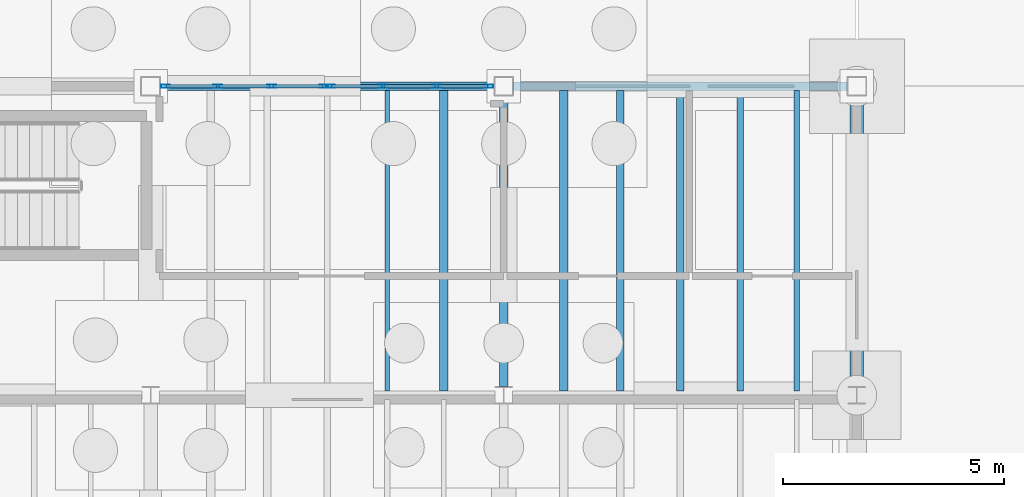
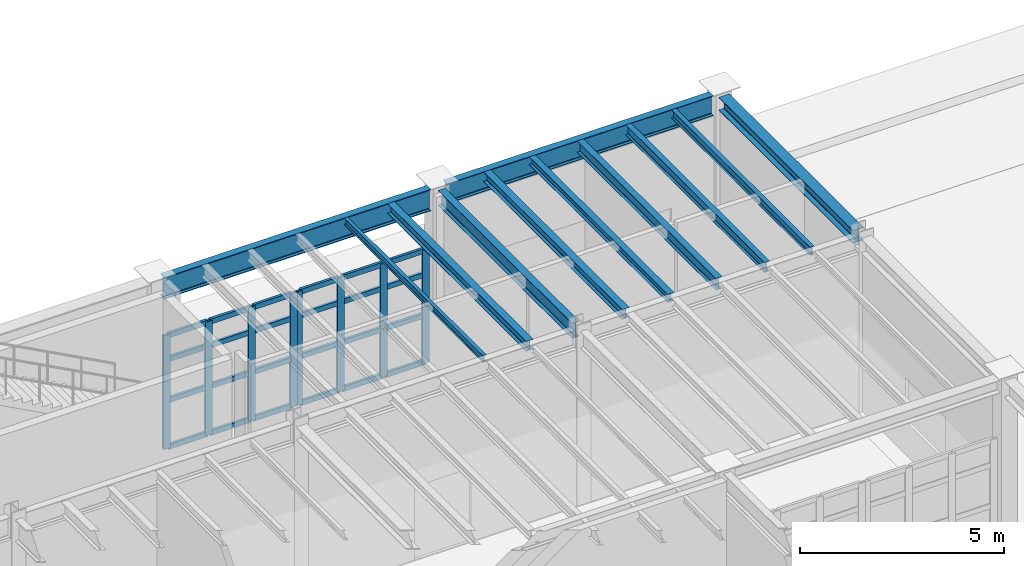
# One storey, part 35 of 86: 32 members, 11 beams, 2 elements without a shape of their own.
"""IFC4 building model written with IfcOpenShell, lengths in metres."""

from ifc_helpers import new_model, si_unit, direction, frame, origin, origin_2d, place, context, subcontext, project, spatial, hollow_rectangle, i_section, extrude, material, material_profile, profile_set, type_object, element, aggregate, save


model = new_model("IFC4")

# Units and contexts
model_context = context("Model", 3, precision=1e-05, world=origin(), true_north=direction((0.0, 1.0)))
body_context = subcontext(model_context, "Body", "Model", "MODEL_VIEW")
ifc_project = project(units=[si_unit("LENGTHUNIT", "METRE"), si_unit("AREAUNIT", "SQUARE_METRE"), si_unit("VOLUMEUNIT", "CUBIC_METRE"), si_unit("PLANEANGLEUNIT", "RADIAN"), si_unit("MASSUNIT", "GRAM", prefix="KILO"), si_unit("THERMODYNAMICTEMPERATUREUNIT", "KELVIN"), si_unit("POWERUNIT", "WATT")], contexts=[model_context])

# Site, building, storey
site_placement = place(None, origin())
site = spatial("IfcSite", under=ifc_project, at=site_placement, CompositionType="ELEMENT")
building_placement = place(site_placement, origin())
building = spatial("IfcBuilding", under=site, at=building_placement, Name="Zhenchuan Central Fire Station", CompositionType="ELEMENT")
storey_placement = place(building_placement, frame((0.0, 0.0, 0.449951171875)))
storey = spatial("IfcBuildingStorey", under=building, at=storey_placement, Name="L01", CompositionType="ELEMENT", Elevation=0.449951171875)

# Beams
ifc_material_1 = material(Name="Steel Q355B", Category="steel")
ifc_material_profile_1 = material_profile(ifc_material_1, i_section(OverallWidth=0.300048828125, OverallDepth=0.389892578125, WebThickness=0.010009765625, FlangeThickness=0.01611328125, FilletRadius=0.02001953125, at=origin_2d()), Name="HM 390x300")
ifc_profile_set_1 = profile_set([ifc_material_profile_1], Name="Steel Q355B")
beam_type_1 = type_object("IfcBeamType", Name="BM-HM390-INT", PredefinedType="BEAM", material=ifc_profile_set_1)
beam_1_placement = place(storey_placement, frame((56.0, 49.699951171875, 5.005126953125), z_axis=(0.0, 1.0, 0.0), x_axis=(-1.0, 0.0, 0.0)))
element("IfcBeam", 1, at=beam_1_placement, inside=storey, type_object=beam_type_1, Name="L02 Girder NS 0151", PredefinedType="BEAM", context=body_context, shape_type="SweptSolid", body=[
    extrude(i_section(OverallWidth=0.300048828125, OverallDepth=0.389892578125, WebThickness=0.010009765625, FlangeThickness=0.01611328125, FilletRadius=0.02001953125, at=origin_2d()), origin(), (0.0, 0.0, 1.0), 6.574951171875),
])
ifc_material_profile_2 = material_profile(ifc_material_1, i_section(OverallWidth=0.199951171875, OverallDepth=0.449951171875, WebThickness=0.009033203125, FlangeThickness=0.013916015625, FilletRadius=0.01806640625, at=origin_2d()), Name="HN 450x200")
ifc_profile_set_2 = profile_set([ifc_material_profile_2], Name="Steel Q355B")
beam_type_2 = type_object("IfcBeamType", Name="BM-HN450", PredefinedType="BEAM", material=ifc_profile_set_2)
beam_2_placement = place(storey_placement, frame((48.0, 49.699951171875, 4.97509765625), z_axis=(0.0, 1.0, 0.0), x_axis=(-1.0, 0.0, 0.0)))
element("IfcBeam", 2, at=beam_2_placement, inside=storey, type_object=beam_type_2, Name="L02 Girder NS 0148", PredefinedType="BEAM", context=body_context, shape_type="SweptSolid", body=[
    extrude(i_section(OverallWidth=0.199951171875, OverallDepth=0.449951171875, WebThickness=0.009033203125, FlangeThickness=0.013916015625, FilletRadius=0.01806640625, at=origin_2d()), origin(), (0.0, 0.0, 1.0), 6.574951171875),
])
ifc_material_profile_3 = material_profile(ifc_material_1, i_section(OverallWidth=0.199951171875, OverallDepth=0.60009765625, WebThickness=0.010986328125, FlangeThickness=0.01708984375, FilletRadius=0.02197265625, at=origin_2d()), Name="HN 600x200")
ifc_profile_set_3 = profile_set([ifc_material_profile_3], Name="Steel Q355B")
beam_type_3 = type_object("IfcBeamType", Name="BM-HN600", PredefinedType="BEAM", material=ifc_profile_set_3)
beam_3_placement = place(storey_placement, frame((48.22509765625, 56.5, 4.900146484375), z_axis=(1.0, 0.0, 0.0), x_axis=(0.0, 1.0, 0.0)))
element("IfcBeam", 3, at=beam_3_placement, inside=storey, type_object=beam_type_3, Name="L02 Girder EW 0100", PredefinedType="BEAM", context=body_context, shape_type="SweptSolid", body=[
    extrude(i_section(OverallWidth=0.199951171875, OverallDepth=0.60009765625, WebThickness=0.010986328125, FlangeThickness=0.01708984375, FilletRadius=0.02197265625, at=origin_2d()), origin(), (0.0, 0.0, 1.0), 7.5498046875),
])
ifc_material_profile_4 = material_profile(ifc_material_1, i_section(OverallWidth=0.199951171875, OverallDepth=0.64990234375, WebThickness=0.011962890625, FlangeThickness=0.02001953125, FilletRadius=0.02197265625, at=origin_2d()), Name="HN 650x200")
ifc_profile_set_4 = profile_set([ifc_material_profile_4], Name="Steel Q355B")
beam_type_4 = type_object("IfcBeamType", Name="BM-HN650-EXT", PredefinedType="BEAM", material=ifc_profile_set_4)
beam_4_placement = place(storey_placement, frame((40.22509765625, 56.5, 4.875), z_axis=(1.0, 0.0, 0.0), x_axis=(0.0, 1.0, 0.0)))
element("IfcBeam", 4, at=beam_4_placement, inside=storey, type_object=beam_type_4, Name="L02 Girder EW 0099", PredefinedType="BEAM", context=body_context, shape_type="SweptSolid", body=[
    extrude(i_section(OverallWidth=0.199951171875, OverallDepth=0.64990234375, WebThickness=0.011962890625, FlangeThickness=0.02001953125, FilletRadius=0.02197265625, at=origin_2d()), origin(), (0.0, 0.0, 1.0), 7.5498046875),
])

# Curtain wall, members
ifc_material_2 = material(Name="Anodised aluminium and low-E glazing", Category="aluminium")
curtain_wall_type_1 = type_object("IfcCurtainWallType", Name="CW-MOD-06", PredefinedType="USERDEFINED", material=ifc_material_2)
curtain_wall_1_placement = place(storey_placement, origin())
curtain_wall_1 = element("IfcCurtainWall", 5, at=curtain_wall_1_placement, inside=storey, type_object=curtain_wall_type_1, Name="L01 Unitised Curtain Wall 054", ObjectType="UNITISED GLAZING", PredefinedType="USERDEFINED")
ifc_material_3 = material(Name="Anodised aluminium EN AW-6063", Category="aluminium")
ifc_material_profile_5 = material_profile(ifc_material_3, hollow_rectangle(XDim=0.074951171875, YDim=0.199951171875, WallThickness=0.0048828125, at=origin_2d()), Name="ALU-M 200x75")
ifc_profile_set_5 = profile_set([ifc_material_profile_5], Name="Anodised aluminium EN AW-6063")
member_type_1 = type_object("IfcMemberType", Name="CW-MUL160", PredefinedType="MULLION", material=ifc_profile_set_5)
member_1_placement = place(storey_placement, frame((40.33251953125, 56.5, -0.00390625), z_axis=(0.0, 0.0, 1.0), x_axis=(0.0, 1.0, 0.0)))
member_1 = element("IfcMember", 6, at=member_1_placement, type_object=member_type_1, Name="CW-06 mullion 1", PredefinedType="MULLION", context=body_context, shape_type="SweptSolid", body=[
    extrude(hollow_rectangle(XDim=0.074951171875, YDim=0.199951171875, WallThickness=0.0048828125, at=origin_2d()), origin(), (0.0, 0.0, 1.0), 3.404052734375),
])
member_2_placement = place(storey_placement, frame((41.520751953125, 56.5, -0.00390625), z_axis=(0.0, 0.0, 1.0), x_axis=(0.0, 1.0, 0.0)))
member_2 = element("IfcMember", 7, at=member_2_placement, type_object=member_type_1, Name="CW-06 mullion 2", PredefinedType="MULLION", context=body_context, shape_type="SweptSolid", body=[
    extrude(hollow_rectangle(XDim=0.074951171875, YDim=0.199951171875, WallThickness=0.0048828125, at=origin_2d()), origin(), (0.0, 0.0, 1.0), 3.404052734375),
])
member_3_placement = place(storey_placement, frame((42.741455078125, 56.5, -0.00390625), z_axis=(0.0, 0.0, 1.0), x_axis=(0.0, 1.0, 0.0)))
member_3 = element("IfcMember", 8, at=member_3_placement, type_object=member_type_1, Name="CW-06 mullion 3", PredefinedType="MULLION", context=body_context, shape_type="SweptSolid", body=[
    extrude(hollow_rectangle(XDim=0.074951171875, YDim=0.199951171875, WallThickness=0.0048828125, at=origin_2d()), origin(), (0.0, 0.0, 1.0), 3.404052734375),
])
member_4_placement = place(storey_placement, frame((43.929443359375, 56.5, -0.00390625), z_axis=(0.0, 0.0, 1.0), x_axis=(0.0, 1.0, 0.0)))
member_4 = element("IfcMember", 9, at=member_4_placement, type_object=member_type_1, Name="CW-06 mullion 4", PredefinedType="MULLION", context=body_context, shape_type="SweptSolid", body=[
    extrude(hollow_rectangle(XDim=0.074951171875, YDim=0.199951171875, WallThickness=0.0048828125, at=origin_2d()), origin(), (0.0, 0.0, 1.0), 3.404052734375),
])

curtain_wall_type_2 = type_object("IfcCurtainWallType", Name="CW-MOD-07", PredefinedType="USERDEFINED", material=ifc_material_2)
curtain_wall_2_placement = place(storey_placement, origin())
curtain_wall_2 = element("IfcCurtainWall", 10, at=curtain_wall_2_placement, inside=storey, type_object=curtain_wall_type_2, Name="L01 Unitised Curtain Wall 055", ObjectType="UNITISED GLAZING", PredefinedType="USERDEFINED")
member_5_placement = place(storey_placement, frame((44.070556640625, 56.5, -0.00390625), z_axis=(0.0, 0.0, 1.0), x_axis=(0.0, 1.0, 0.0)))
member_5 = element("IfcMember", 11, at=member_5_placement, type_object=member_type_1, Name="CW-07 mullion 1", PredefinedType="MULLION", context=body_context, shape_type="SweptSolid", body=[
    extrude(hollow_rectangle(XDim=0.074951171875, YDim=0.199951171875, WallThickness=0.0048828125, at=origin_2d()), origin(), (0.0, 0.0, 1.0), 3.404052734375),
])
member_6_placement = place(storey_placement, frame((45.258544921875, 56.5, -0.00390625), z_axis=(0.0, 0.0, 1.0), x_axis=(0.0, 1.0, 0.0)))
member_6 = element("IfcMember", 12, at=member_6_placement, type_object=member_type_1, Name="CW-07 mullion 2", PredefinedType="MULLION", context=body_context, shape_type="SweptSolid", body=[
    extrude(hollow_rectangle(XDim=0.074951171875, YDim=0.199951171875, WallThickness=0.0048828125, at=origin_2d()), origin(), (0.0, 0.0, 1.0), 3.404052734375),
])
member_7_placement = place(storey_placement, frame((46.479248046875, 56.5, -0.00390625), z_axis=(0.0, 0.0, 1.0), x_axis=(0.0, 1.0, 0.0)))
member_7 = element("IfcMember", 13, at=member_7_placement, type_object=member_type_1, Name="CW-07 mullion 3", PredefinedType="MULLION", context=body_context, shape_type="SweptSolid", body=[
    extrude(hollow_rectangle(XDim=0.074951171875, YDim=0.199951171875, WallThickness=0.0048828125, at=origin_2d()), origin(), (0.0, 0.0, 1.0), 3.404052734375),
])
member_8_placement = place(storey_placement, frame((47.66748046875, 56.5, -0.00390625), z_axis=(0.0, 0.0, 1.0), x_axis=(0.0, 1.0, 0.0)))
member_8 = element("IfcMember", 14, at=member_8_placement, type_object=member_type_1, Name="CW-07 mullion 4", PredefinedType="MULLION", context=body_context, shape_type="SweptSolid", body=[
    extrude(hollow_rectangle(XDim=0.074951171875, YDim=0.199951171875, WallThickness=0.0048828125, at=origin_2d()), origin(), (0.0, 0.0, 1.0), 3.404052734375),
])

# Member
ifc_material_profile_6 = material_profile(ifc_material_3, hollow_rectangle(XDim=0.074951171875, YDim=0.14990234375, WallThickness=0.0048828125, at=origin_2d()), Name="ALU-T 150x75")
ifc_profile_set_6 = profile_set([ifc_material_profile_6], Name="Anodised aluminium EN AW-6063")
member_type_2 = type_object("IfcMemberType", Name="CW-TRN130", PredefinedType="NOTDEFINED", material=ifc_profile_set_6)
member_9_placement = place(storey_placement, frame((40.364990234375, 56.5, 0.028564453125), z_axis=(1.0, 0.0, 0.0), x_axis=(0.0, 1.0, 0.0)))
member_9 = element("IfcMember", 15, at=member_9_placement, type_object=member_type_2, Name="CW-06 transom 1.1", ObjectType="TRANSOM", PredefinedType="USERDEFINED", context=body_context, shape_type="SweptSolid", body=[
    extrude(hollow_rectangle(XDim=0.074951171875, YDim=0.14990234375, WallThickness=0.0048828125, at=origin_2d()), origin(), (0.0, 0.0, 1.0), 1.123291015625),
])

member_10_placement = place(storey_placement, frame((40.364990234375, 56.5, 1.427978515625), z_axis=(1.0, 0.0, 0.0), x_axis=(0.0, 1.0, 0.0)))
member_10 = element("IfcMember", 16, at=member_10_placement, type_object=member_type_2, Name="CW-06 transom 1.2", ObjectType="TRANSOM", PredefinedType="USERDEFINED", context=body_context, shape_type="SweptSolid", body=[
    extrude(hollow_rectangle(XDim=0.074951171875, YDim=0.14990234375, WallThickness=0.0048828125, at=origin_2d()), origin(), (0.0, 0.0, 1.0), 1.123291015625),
])

member_11_placement = place(storey_placement, frame((40.364990234375, 56.5, 2.652099609375), z_axis=(1.0, 0.0, 0.0), x_axis=(0.0, 1.0, 0.0)))
member_11 = element("IfcMember", 17, at=member_11_placement, type_object=member_type_2, Name="CW-06 transom 1.3", ObjectType="TRANSOM", PredefinedType="USERDEFINED", context=body_context, shape_type="SweptSolid", body=[
    extrude(hollow_rectangle(XDim=0.074951171875, YDim=0.14990234375, WallThickness=0.0048828125, at=origin_2d()), origin(), (0.0, 0.0, 1.0), 1.123291015625),
])

member_12_placement = place(storey_placement, frame((40.364990234375, 56.5, 3.367431640625), z_axis=(1.0, 0.0, 0.0), x_axis=(0.0, 1.0, 0.0)))
member_12 = element("IfcMember", 18, at=member_12_placement, type_object=member_type_2, Name="CW-06 transom 1.4", ObjectType="TRANSOM", PredefinedType="USERDEFINED", context=body_context, shape_type="SweptSolid", body=[
    extrude(hollow_rectangle(XDim=0.074951171875, YDim=0.14990234375, WallThickness=0.0048828125, at=origin_2d()), origin(), (0.0, 0.0, 1.0), 1.123291015625),
])

member_13_placement = place(storey_placement, frame((41.55322265625, 56.5, 0.028564453125), z_axis=(1.0, 0.0, 0.0), x_axis=(0.0, 1.0, 0.0)))
member_13 = element("IfcMember", 19, at=member_13_placement, type_object=member_type_2, Name="CW-06 transom 2.1", ObjectType="TRANSOM", PredefinedType="USERDEFINED", context=body_context, shape_type="SweptSolid", body=[
    extrude(hollow_rectangle(XDim=0.074951171875, YDim=0.14990234375, WallThickness=0.0048828125, at=origin_2d()), origin(), (0.0, 0.0, 1.0), 1.155517578125),
])

member_14_placement = place(storey_placement, frame((41.55322265625, 56.5, 1.427978515625), z_axis=(1.0, 0.0, 0.0), x_axis=(0.0, 1.0, 0.0)))
member_14 = element("IfcMember", 20, at=member_14_placement, type_object=member_type_2, Name="CW-06 transom 2.2", ObjectType="TRANSOM", PredefinedType="USERDEFINED", context=body_context, shape_type="SweptSolid", body=[
    extrude(hollow_rectangle(XDim=0.074951171875, YDim=0.14990234375, WallThickness=0.0048828125, at=origin_2d()), origin(), (0.0, 0.0, 1.0), 1.155517578125),
])

member_15_placement = place(storey_placement, frame((41.55322265625, 56.5, 2.652099609375), z_axis=(1.0, 0.0, 0.0), x_axis=(0.0, 1.0, 0.0)))
member_15 = element("IfcMember", 21, at=member_15_placement, type_object=member_type_2, Name="CW-06 transom 2.3", ObjectType="TRANSOM", PredefinedType="USERDEFINED", context=body_context, shape_type="SweptSolid", body=[
    extrude(hollow_rectangle(XDim=0.074951171875, YDim=0.14990234375, WallThickness=0.0048828125, at=origin_2d()), origin(), (0.0, 0.0, 1.0), 1.155517578125),
])

member_16_placement = place(storey_placement, frame((41.55322265625, 56.5, 3.367431640625), z_axis=(1.0, 0.0, 0.0), x_axis=(0.0, 1.0, 0.0)))
member_16 = element("IfcMember", 22, at=member_16_placement, type_object=member_type_2, Name="CW-06 transom 2.4", ObjectType="TRANSOM", PredefinedType="USERDEFINED", context=body_context, shape_type="SweptSolid", body=[
    extrude(hollow_rectangle(XDim=0.074951171875, YDim=0.14990234375, WallThickness=0.0048828125, at=origin_2d()), origin(), (0.0, 0.0, 1.0), 1.155517578125),
])

member_17_placement = place(storey_placement, frame((42.77392578125, 56.5, 0.028564453125), z_axis=(1.0, 0.0, 0.0), x_axis=(0.0, 1.0, 0.0)))
member_17 = element("IfcMember", 23, at=member_17_placement, type_object=member_type_2, Name="CW-06 transom 3.1", ObjectType="TRANSOM", PredefinedType="USERDEFINED", context=body_context, shape_type="SweptSolid", body=[
    extrude(hollow_rectangle(XDim=0.074951171875, YDim=0.14990234375, WallThickness=0.0048828125, at=origin_2d()), origin(), (0.0, 0.0, 1.0), 1.123046875),
])

member_18_placement = place(storey_placement, frame((42.77392578125, 56.5, 1.427978515625), z_axis=(1.0, 0.0, 0.0), x_axis=(0.0, 1.0, 0.0)))
member_18 = element("IfcMember", 24, at=member_18_placement, type_object=member_type_2, Name="CW-06 transom 3.2", ObjectType="TRANSOM", PredefinedType="USERDEFINED", context=body_context, shape_type="SweptSolid", body=[
    extrude(hollow_rectangle(XDim=0.074951171875, YDim=0.14990234375, WallThickness=0.0048828125, at=origin_2d()), origin(), (0.0, 0.0, 1.0), 1.123046875),
])

member_19_placement = place(storey_placement, frame((42.77392578125, 56.5, 2.652099609375), z_axis=(1.0, 0.0, 0.0), x_axis=(0.0, 1.0, 0.0)))
member_19 = element("IfcMember", 25, at=member_19_placement, type_object=member_type_2, Name="CW-06 transom 3.3", ObjectType="TRANSOM", PredefinedType="USERDEFINED", context=body_context, shape_type="SweptSolid", body=[
    extrude(hollow_rectangle(XDim=0.074951171875, YDim=0.14990234375, WallThickness=0.0048828125, at=origin_2d()), origin(), (0.0, 0.0, 1.0), 1.123046875),
])

member_20_placement = place(storey_placement, frame((42.77392578125, 56.5, 3.367431640625), z_axis=(1.0, 0.0, 0.0), x_axis=(0.0, 1.0, 0.0)))
member_20 = element("IfcMember", 26, at=member_20_placement, type_object=member_type_2, Name="CW-06 transom 3.4", ObjectType="TRANSOM", PredefinedType="USERDEFINED", context=body_context, shape_type="SweptSolid", body=[
    extrude(hollow_rectangle(XDim=0.074951171875, YDim=0.14990234375, WallThickness=0.0048828125, at=origin_2d()), origin(), (0.0, 0.0, 1.0), 1.123046875),
])

aggregate(curtain_wall_1, [member_1, member_2, member_3, member_4, member_9, member_10, member_11, member_12, member_13, member_14, member_15, member_16, member_17, member_18, member_19, member_20])

member_21_placement = place(storey_placement, frame((44.10302734375, 56.5, 0.028564453125), z_axis=(1.0, 0.0, 0.0), x_axis=(0.0, 1.0, 0.0)))
member_21 = element("IfcMember", 27, at=member_21_placement, type_object=member_type_2, Name="CW-07 transom 1.1", ObjectType="TRANSOM", PredefinedType="USERDEFINED", context=body_context, shape_type="SweptSolid", body=[
    extrude(hollow_rectangle(XDim=0.074951171875, YDim=0.14990234375, WallThickness=0.0048828125, at=origin_2d()), origin(), (0.0, 0.0, 1.0), 1.123046875),
])

member_22_placement = place(storey_placement, frame((44.10302734375, 56.5, 1.427978515625), z_axis=(1.0, 0.0, 0.0), x_axis=(0.0, 1.0, 0.0)))
member_22 = element("IfcMember", 28, at=member_22_placement, type_object=member_type_2, Name="CW-07 transom 1.2", ObjectType="TRANSOM", PredefinedType="USERDEFINED", context=body_context, shape_type="SweptSolid", body=[
    extrude(hollow_rectangle(XDim=0.074951171875, YDim=0.14990234375, WallThickness=0.0048828125, at=origin_2d()), origin(), (0.0, 0.0, 1.0), 1.123046875),
])

member_23_placement = place(storey_placement, frame((44.10302734375, 56.5, 2.652099609375), z_axis=(1.0, 0.0, 0.0), x_axis=(0.0, 1.0, 0.0)))
member_23 = element("IfcMember", 29, at=member_23_placement, type_object=member_type_2, Name="CW-07 transom 1.3", ObjectType="TRANSOM", PredefinedType="USERDEFINED", context=body_context, shape_type="SweptSolid", body=[
    extrude(hollow_rectangle(XDim=0.074951171875, YDim=0.14990234375, WallThickness=0.0048828125, at=origin_2d()), origin(), (0.0, 0.0, 1.0), 1.123046875),
])

member_24_placement = place(storey_placement, frame((44.10302734375, 56.5, 3.367431640625), z_axis=(1.0, 0.0, 0.0), x_axis=(0.0, 1.0, 0.0)))
member_24 = element("IfcMember", 30, at=member_24_placement, type_object=member_type_2, Name="CW-07 transom 1.4", ObjectType="TRANSOM", PredefinedType="USERDEFINED", context=body_context, shape_type="SweptSolid", body=[
    extrude(hollow_rectangle(XDim=0.074951171875, YDim=0.14990234375, WallThickness=0.0048828125, at=origin_2d()), origin(), (0.0, 0.0, 1.0), 1.123046875),
])

member_25_placement = place(storey_placement, frame((45.291259765625, 56.5, 0.028564453125), z_axis=(1.0, 0.0, 0.0), x_axis=(0.0, 1.0, 0.0)))
member_25 = element("IfcMember", 31, at=member_25_placement, type_object=member_type_2, Name="CW-07 transom 2.1", ObjectType="TRANSOM", PredefinedType="USERDEFINED", context=body_context, shape_type="SweptSolid", body=[
    extrude(hollow_rectangle(XDim=0.074951171875, YDim=0.14990234375, WallThickness=0.0048828125, at=origin_2d()), origin(), (0.0, 0.0, 1.0), 1.155517578125),
])

member_26_placement = place(storey_placement, frame((45.291259765625, 56.5, 1.427978515625), z_axis=(1.0, 0.0, 0.0), x_axis=(0.0, 1.0, 0.0)))
member_26 = element("IfcMember", 32, at=member_26_placement, type_object=member_type_2, Name="CW-07 transom 2.2", ObjectType="TRANSOM", PredefinedType="USERDEFINED", context=body_context, shape_type="SweptSolid", body=[
    extrude(hollow_rectangle(XDim=0.074951171875, YDim=0.14990234375, WallThickness=0.0048828125, at=origin_2d()), origin(), (0.0, 0.0, 1.0), 1.155517578125),
])

member_27_placement = place(storey_placement, frame((45.291259765625, 56.5, 2.652099609375), z_axis=(1.0, 0.0, 0.0), x_axis=(0.0, 1.0, 0.0)))
member_27 = element("IfcMember", 33, at=member_27_placement, type_object=member_type_2, Name="CW-07 transom 2.3", ObjectType="TRANSOM", PredefinedType="USERDEFINED", context=body_context, shape_type="SweptSolid", body=[
    extrude(hollow_rectangle(XDim=0.074951171875, YDim=0.14990234375, WallThickness=0.0048828125, at=origin_2d()), origin(), (0.0, 0.0, 1.0), 1.155517578125),
])

member_28_placement = place(storey_placement, frame((45.291259765625, 56.5, 3.367431640625), z_axis=(1.0, 0.0, 0.0), x_axis=(0.0, 1.0, 0.0)))
member_28 = element("IfcMember", 34, at=member_28_placement, type_object=member_type_2, Name="CW-07 transom 2.4", ObjectType="TRANSOM", PredefinedType="USERDEFINED", context=body_context, shape_type="SweptSolid", body=[
    extrude(hollow_rectangle(XDim=0.074951171875, YDim=0.14990234375, WallThickness=0.0048828125, at=origin_2d()), origin(), (0.0, 0.0, 1.0), 1.155517578125),
])

member_29_placement = place(storey_placement, frame((46.51171875, 56.5, 0.028564453125), z_axis=(1.0, 0.0, 0.0), x_axis=(0.0, 1.0, 0.0)))
member_29 = element("IfcMember", 35, at=member_29_placement, type_object=member_type_2, Name="CW-07 transom 3.1", ObjectType="TRANSOM", PredefinedType="USERDEFINED", context=body_context, shape_type="SweptSolid", body=[
    extrude(hollow_rectangle(XDim=0.074951171875, YDim=0.14990234375, WallThickness=0.0048828125, at=origin_2d()), origin(), (0.0, 0.0, 1.0), 1.123291015625),
])

member_30_placement = place(storey_placement, frame((46.51171875, 56.5, 1.427978515625), z_axis=(1.0, 0.0, 0.0), x_axis=(0.0, 1.0, 0.0)))
member_30 = element("IfcMember", 36, at=member_30_placement, type_object=member_type_2, Name="CW-07 transom 3.2", ObjectType="TRANSOM", PredefinedType="USERDEFINED", context=body_context, shape_type="SweptSolid", body=[
    extrude(hollow_rectangle(XDim=0.074951171875, YDim=0.14990234375, WallThickness=0.0048828125, at=origin_2d()), origin(), (0.0, 0.0, 1.0), 1.123291015625),
])

member_31_placement = place(storey_placement, frame((46.51171875, 56.5, 2.652099609375), z_axis=(1.0, 0.0, 0.0), x_axis=(0.0, 1.0, 0.0)))
member_31 = element("IfcMember", 37, at=member_31_placement, type_object=member_type_2, Name="CW-07 transom 3.3", ObjectType="TRANSOM", PredefinedType="USERDEFINED", context=body_context, shape_type="SweptSolid", body=[
    extrude(hollow_rectangle(XDim=0.074951171875, YDim=0.14990234375, WallThickness=0.0048828125, at=origin_2d()), origin(), (0.0, 0.0, 1.0), 1.123291015625),
])

member_32_placement = place(storey_placement, frame((46.51171875, 56.5, 3.367431640625), z_axis=(1.0, 0.0, 0.0), x_axis=(0.0, 1.0, 0.0)))
member_32 = element("IfcMember", 38, at=member_32_placement, type_object=member_type_2, Name="CW-07 transom 3.4", ObjectType="TRANSOM", PredefinedType="USERDEFINED", context=body_context, shape_type="SweptSolid", body=[
    extrude(hollow_rectangle(XDim=0.074951171875, YDim=0.14990234375, WallThickness=0.0048828125, at=origin_2d()), origin(), (0.0, 0.0, 1.0), 1.123291015625),
])

aggregate(curtain_wall_2, [member_5, member_6, member_7, member_8, member_21, member_22, member_23, member_24, member_25, member_26, member_27, member_28, member_29, member_30, member_31, member_32])

# Beams
ifc_material_profile_7 = material_profile(ifc_material_1, i_section(OverallWidth=0.175048828125, OverallDepth=0.243896484375, WebThickness=0.007080078125, FlangeThickness=0.010986328125, FilletRadius=0.012939453125, at=origin_2d()), Name="HM 244x175")
ifc_profile_set_7 = profile_set([ifc_material_profile_7], Name="Steel Q355B")
beam_type_5 = type_object("IfcBeamType", Name="JS-HM244", PredefinedType="JOIST", material=ifc_profile_set_7)
beam_5_placement = place(storey_placement, frame((50.639892578125, 49.596923828125, 5.078125), z_axis=(0.0, 1.0, 0.0), x_axis=(-1.0, 0.0, 0.0)))
element("IfcBeam", 39, at=beam_5_placement, inside=storey, type_object=beam_type_5, Name="L02 Secondary Joist 0288", PredefinedType="JOIST", context=body_context, shape_type="SweptSolid", body=[
    extrude(i_section(OverallWidth=0.175048828125, OverallDepth=0.243896484375, WebThickness=0.007080078125, FlangeThickness=0.010986328125, FilletRadius=0.012939453125, at=origin_2d()), origin(), (0.0, 0.0, 1.0), 6.80615234375),
])
ifc_material_profile_8 = material_profile(ifc_material_1, i_section(OverallWidth=0.199951171875, OverallDepth=0.2939453125, WebThickness=0.008056640625, FlangeThickness=0.011962890625, FilletRadius=0.01611328125, at=origin_2d()), Name="HM 294x200")
ifc_profile_set_8 = profile_set([ifc_material_profile_8], Name="Steel Q355B")
beam_type_6 = type_object("IfcBeamType", Name="JS-HM294", PredefinedType="JOIST", material=ifc_profile_set_8)
for number, where, z_axis, x_axis, name in (
    (40, (46.639892578125, 49.596923828125, 5.052978515625), (0.0, 1.0, 0.0), (-1.0, 0.0, 0.0), "L02 Secondary Joist 0286"),
    (41, (49.360107421875, 49.596923828125, 5.052978515625), (0.0, 1.0, 0.0), (-1.0, 0.0, 0.0), "L02 Secondary Joist 0287"),
):
    element("IfcBeam", number, at=place(storey_placement, frame(where, z_axis=z_axis, x_axis=x_axis)), inside=storey, type_object=beam_type_6, Name=name, PredefinedType="JOIST", context=body_context, shape_type="SweptSolid", body=[
        extrude(i_section(OverallWidth=0.199951171875, OverallDepth=0.2939453125, WebThickness=0.008056640625, FlangeThickness=0.011962890625, FilletRadius=0.01611328125, at=origin_2d()), origin(), (0.0, 0.0, 1.0), 6.80615234375),
    ])
ifc_material_profile_9 = material_profile(ifc_material_1, i_section(OverallWidth=0.10009765625, OverallDepth=0.199951171875, WebThickness=0.005615234375, FlangeThickness=0.008056640625, FilletRadius=0.010986328125, at=origin_2d()), Name="HN 200x100")
ifc_profile_set_9 = profile_set([ifc_material_profile_9], Name="Steel Q355B")
beam_type_7 = type_object("IfcBeamType", Name="JS-HN200", PredefinedType="JOIST", material=ifc_profile_set_9)
beam_6_placement = place(storey_placement, frame((45.360107421875, 49.596923828125, 5.10009765625), z_axis=(0.0, 1.0, 0.0), x_axis=(-1.0, 0.0, 0.0)))
element("IfcBeam", 42, at=beam_6_placement, inside=storey, type_object=beam_type_7, Name="L02 Secondary Joist 0285", PredefinedType="JOIST", context=body_context, shape_type="SweptSolid", body=[
    extrude(i_section(OverallWidth=0.10009765625, OverallDepth=0.199951171875, WebThickness=0.005615234375, FlangeThickness=0.008056640625, FilletRadius=0.010986328125, at=origin_2d()), origin(), (0.0, 0.0, 1.0), 6.80615234375),
])
ifc_material_profile_10 = material_profile(ifc_material_1, i_section(OverallWidth=0.125, OverallDepth=0.25, WebThickness=0.006103515625, FlangeThickness=0.009033203125, FilletRadius=0.011962890625, at=origin_2d()), Name="HN 250x125")
ifc_profile_set_10 = profile_set([ifc_material_profile_10], Name="Steel Q355B")
beam_type_8 = type_object("IfcBeamType", Name="JS-HN250", PredefinedType="JOIST", material=ifc_profile_set_10)
beam_7_placement = place(storey_placement, frame((54.639892578125, 49.596923828125, 5.074951171875), z_axis=(0.0, 1.0, 0.0), x_axis=(-1.0, 0.0, 0.0)))
element("IfcBeam", 43, at=beam_7_placement, inside=storey, type_object=beam_type_8, Name="L02 Secondary Joist 0291", PredefinedType="JOIST", context=body_context, shape_type="SweptSolid", body=[
    extrude(i_section(OverallWidth=0.125, OverallDepth=0.25, WebThickness=0.006103515625, FlangeThickness=0.009033203125, FilletRadius=0.011962890625, at=origin_2d()), origin(), (0.0, 0.0, 1.0), 6.80615234375),
])
ifc_material_profile_11 = material_profile(ifc_material_1, i_section(OverallWidth=0.14990234375, OverallDepth=0.300048828125, WebThickness=0.006591796875, FlangeThickness=0.009033203125, FilletRadius=0.012939453125, at=origin_2d()), Name="HN 300x150")
ifc_profile_set_11 = profile_set([ifc_material_profile_11], Name="Steel Q355B")
beam_type_9 = type_object("IfcBeamType", Name="JS-HN300", PredefinedType="JOIST", material=ifc_profile_set_11)
beam_8_placement = place(storey_placement, frame((53.360107421875, 49.596923828125, 5.050048828125), z_axis=(0.0, 1.0, 0.0), x_axis=(-1.0, 0.0, 0.0)))
element("IfcBeam", 44, at=beam_8_placement, inside=storey, type_object=beam_type_9, Name="L02 Secondary Joist 0290", PredefinedType="JOIST", context=body_context, shape_type="SweptSolid", body=[
    extrude(i_section(OverallWidth=0.14990234375, OverallDepth=0.300048828125, WebThickness=0.006591796875, FlangeThickness=0.009033203125, FilletRadius=0.012939453125, at=origin_2d()), origin(), (0.0, 0.0, 1.0), 6.80615234375),
])
ifc_material_profile_12 = material_profile(ifc_material_1, i_section(OverallWidth=0.175048828125, OverallDepth=0.35009765625, WebThickness=0.007080078125, FlangeThickness=0.010986328125, FilletRadius=0.013916015625, at=origin_2d()), Name="HN 350x175")
ifc_profile_set_12 = profile_set([ifc_material_profile_12], Name="Steel Q355B")
beam_type_10 = type_object("IfcBeamType", Name="JS-HN350", PredefinedType="JOIST", material=ifc_profile_set_12)
beam_9_placement = place(storey_placement, frame((52.0, 49.596923828125, 5.025146484375), z_axis=(0.0, 1.0, 0.0), x_axis=(-1.0, 0.0, 0.0)))
element("IfcBeam", 45, at=beam_9_placement, inside=storey, type_object=beam_type_10, Name="L02 Secondary Joist 0289", PredefinedType="JOIST", context=body_context, shape_type="SweptSolid", body=[
    extrude(i_section(OverallWidth=0.175048828125, OverallDepth=0.35009765625, WebThickness=0.007080078125, FlangeThickness=0.010986328125, FilletRadius=0.013916015625, at=origin_2d()), origin(), (0.0, 0.0, 1.0), 6.80615234375),
])

save(model, "model.ifc")
